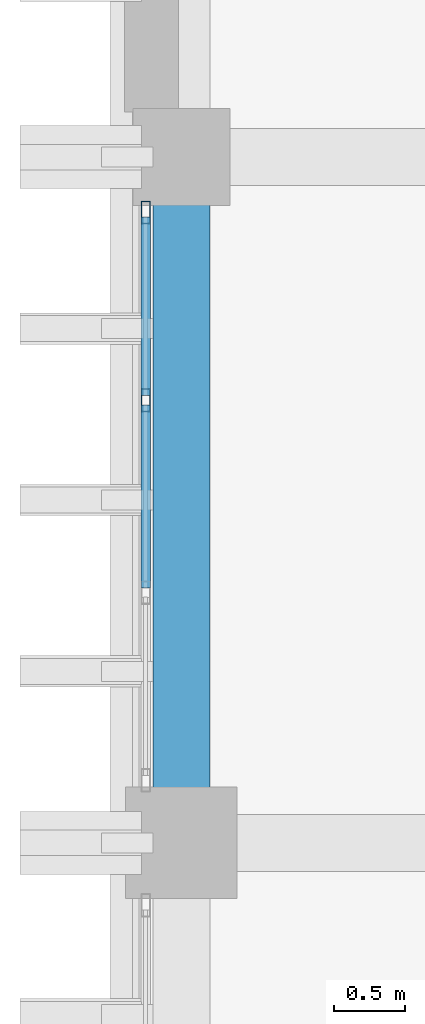
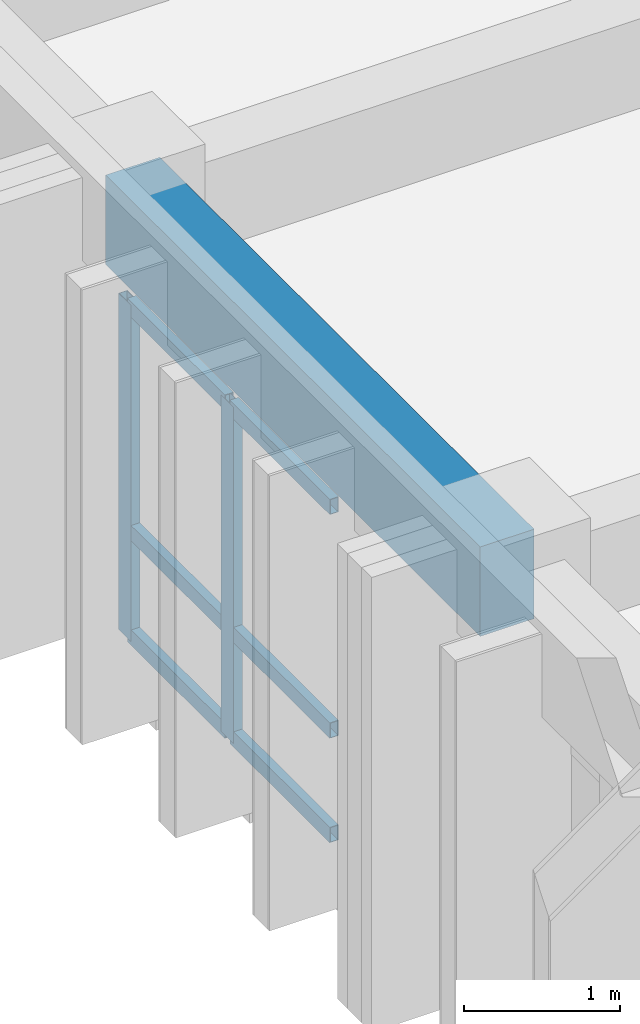
# One storey, part 45 of 68: 8 members, 1 beam, 1 element without a shape of its own.
"""IFC4 building model written with IfcOpenShell, lengths in metres."""

import ifcopenshell
import ifcopenshell.guid

model = None  # the IFC model being written
_history = None  # IfcOwnerHistory: only IFC2X3 demands one
_inside = {}  # id of a spatial element -> (the spatial element, [elements in it])
_under = {}  # id of a project, library or spatial element -> (it, [spatial elements below it])
_declared = {}  # id of a project -> (the project, [libraries it declares])
_typed = {}  # id of a type object -> (the type object, [elements of that type])
_made_of = {}  # id of a material, layer set ... -> (it, [elements and type objects made of it])


def new_model(schema):
    """Start an empty IFC model of exactly this schema.

    Asked for "IFC4X3", IfcOpenShell would pick the latest addendum, in which some entities
    have other attributes; the version numbers below select the first issue.
    IFC2X3 requires an IfcOwnerHistory on every rooted entity: one is made here for all.
    """
    global model, _history
    if schema == "IFC4X3":
        model = ifcopenshell.file(schema_version=(4, 3, 0, 0))
    else:
        model = ifcopenshell.file(schema=schema)
    _inside.clear()
    _under.clear()
    _declared.clear()
    _typed.clear()
    _made_of.clear()
    _history = None
    if model.schema == "IFC2X3":
        org = make("IfcOrganization", Name="unknown")
        user = make(
            "IfcPersonAndOrganization",
            ThePerson=make("IfcPerson", FamilyName="unknown"),
            TheOrganization=org,
        )
        app = make(
            "IfcApplication",
            ApplicationDeveloper=org,
            Version="unknown",
            ApplicationFullName="unknown",
            ApplicationIdentifier="unknown",
        )
        _history = make(
            "IfcOwnerHistory",
            OwningUser=user,
            OwningApplication=app,
            ChangeAction="ADDED",
            CreationDate=0,
        )
    return model


def make(cls, **values):
    """One entity of the class cls with the attributes given. An attribute that is None is left unset."""
    return model.create_entity(
        cls, **{name: value for name, value in values.items() if value is not None}
    )


def rooted(cls, **values):
    """An entity with a GlobalId (a new one), such as an element, a storey or a relation."""
    return make(cls, GlobalId=ifcopenshell.guid.new(), OwnerHistory=_history, **values)


def si_unit(unit_type, name, prefix=None):
    """IfcSIUnit, for example si_unit("LENGTHUNIT", "METRE", prefix="MILLI")."""
    return make("IfcSIUnit", UnitType=unit_type, Prefix=prefix, Name=name)


def assignment(units):
    """IfcUnitAssignment: the units of a project."""
    return None if units is None else make("IfcUnitAssignment", Units=units)


def point(xyz):
    """IfcCartesianPoint."""
    return None if xyz is None else make("IfcCartesianPoint", Coordinates=xyz)


def direction(xyz):
    """IfcDirection."""
    return None if xyz is None else make("IfcDirection", DirectionRatios=xyz)


def frame(location, z_axis=None, x_axis=None):
    """IfcAxis2Placement3D, a coordinate frame: its origin and axes. An axis left out is left unset."""
    return make(
        "IfcAxis2Placement3D",
        Location=point(location),
        Axis=direction(z_axis),
        RefDirection=direction(x_axis),
    )


def frame_2d(location, x_axis=None):
    """IfcAxis2Placement2D, a coordinate frame in the plane: its origin and x axis."""
    return make(
        "IfcAxis2Placement2D", Location=point(location), RefDirection=direction(x_axis)
    )


def origin():
    """The frame at (0, 0, 0) with its axes left unset."""
    return frame((0.0, 0.0, 0.0))


def origin_2d():
    """The frame at (0, 0) in the plane with its x axis left unset."""
    return frame_2d((0.0, 0.0))


def place(relative_to, where):
    """IfcLocalPlacement: puts the frame where relative to a parent placement (None: the world)."""
    return make(
        "IfcLocalPlacement", PlacementRelTo=relative_to, RelativePlacement=where
    )


def context(
    kind, dimensions, precision=None, world=None, true_north=None, identifier=None
):
    """IfcGeometricRepresentationContext, for example the 3D "Model" context."""
    return make(
        "IfcGeometricRepresentationContext",
        ContextIdentifier=identifier,
        ContextType=kind,
        CoordinateSpaceDimension=dimensions,
        Precision=precision,
        WorldCoordinateSystem=world,
        TrueNorth=true_north,
    )


def subcontext(parent, identifier, kind, view, scale=None):
    """IfcGeometricRepresentationSubContext, for example "Body" below "Model"."""
    return make(
        "IfcGeometricRepresentationSubContext",
        ContextIdentifier=identifier,
        ContextType=kind,
        ParentContext=parent,
        TargetScale=scale,
        TargetView=view,
    )


def project(units=None, contexts=None):
    """IfcProject with its units and contexts."""
    return rooted(
        "IfcProject",
        Name="project",
        RepresentationContexts=contexts,
        UnitsInContext=assignment(units),
    )


def spatial(cls, under=None, at=None, **own):
    """A site, building, storey or space (cls), placed at a placement, below another one or the project."""
    s = rooted(cls, ObjectPlacement=at, **own)
    if under is not None:
        _under.setdefault(under.id(), (under, []))[1].append(s)
    return s


def profile(cls, at=None, kind="AREA", **sizes):
    """A parametric profile (cls). Its sizes go by their IFC names, for example OverallWidth=200.0."""
    return make(cls, ProfileType=kind, Position=at, **sizes)


def rectangle(**sizes):
    """IfcRectangleProfileDef."""
    return profile("IfcRectangleProfileDef", **sizes)


def hollow_rectangle(**sizes):
    """IfcRectangleHollowProfileDef."""
    return profile("IfcRectangleHollowProfileDef", **sizes)


def extrude(swept, where, along, depth):
    """IfcExtrudedAreaSolid: the profile swept, set in the frame where, extruded along a direction by depth."""
    return make(
        "IfcExtrudedAreaSolid",
        SweptArea=swept,
        Position=where,
        ExtrudedDirection=direction(along),
        Depth=depth,
    )


def shape(context_of_items, identifier, shape_type, items):
    """IfcShapeRepresentation: the items that make up one representation, for example the "Body"."""
    return make(
        "IfcShapeRepresentation",
        ContextOfItems=context_of_items,
        RepresentationIdentifier=identifier,
        RepresentationType=shape_type,
        Items=items,
    )


def material(Name=None, Category=None):
    """IfcMaterial."""
    return make("IfcMaterial", Name=Name, Category=Category)


def layer(
    of_material, thickness, ventilated=None, Name=None, Category=None, Priority=None
):
    """IfcMaterialLayer: one layer of a wall or slab, of a material (None: an air gap)."""
    return make(
        "IfcMaterialLayer",
        Material=of_material,
        LayerThickness=thickness,
        IsVentilated=ventilated,
        Name=Name,
        Category=Category,
        Priority=Priority,
    )


def layer_set(layers, Name=None):
    """IfcMaterialLayerSet."""
    return make("IfcMaterialLayerSet", MaterialLayers=layers, LayerSetName=Name)


def material_profile(
    of_material, cross_section, Name=None, Category=None, Priority=None
):
    """IfcMaterialProfile: a cross section and its material."""
    return make(
        "IfcMaterialProfile",
        Name=Name,
        Material=of_material,
        Profile=cross_section,
        Priority=Priority,
        Category=Category,
    )


def profile_set(profiles, Name=None, composite=None):
    """IfcMaterialProfileSet."""
    return make(
        "IfcMaterialProfileSet",
        Name=Name,
        MaterialProfiles=profiles,
        CompositeProfile=composite,
    )


def made_of(thing, what):
    """Note that an element or type object is made of a material, layer set ...; save() writes the relation."""
    if what is not None:
        _made_of.setdefault(what.id(), (what, []))[1].append(thing)
    return thing


def type_object(cls, material=None, **own):
    """A type object (cls), such as IfcWallType, which elements share."""
    return made_of(rooted(cls, **own), material)


def element(
    cls,
    number,
    at=None,
    inside=None,
    cuts=None,
    type_object=None,
    material=None,
    context=None,
    identifier="Body",
    shape_type=None,
    held_by="IfcProductDefinitionShape",
    body=None,
    shapes=None,
    **own,
):
    """One element of the class cls, such as IfcWall. Its Tag is "e" and its number.

    at: its placement. inside: the storey or other place that contains it. cuts: it is an
    opening in that element (IfcRelVoidsElement). A single representation is given by context,
    identifier, shape_type and body (its items); several are given by shapes. held_by: the class
    of the entity that holds the representations. save() writes the other relations.
    """
    e = rooted(cls, Tag="e%d" % number, ObjectPlacement=at, **own)
    if body is not None:
        shapes = [shape(context, identifier, shape_type, body)]
    if shapes is not None:
        e.Representation = make(held_by, Representations=shapes)
    if inside is not None:
        _inside.setdefault(inside.id(), (inside, []))[1].append(e)
    if cuts is not None:
        rooted(
            "IfcRelVoidsElement", RelatingBuildingElement=cuts, RelatedOpeningElement=e
        )
    if type_object is not None:
        _typed.setdefault(type_object.id(), (type_object, []))[1].append(e)
    return made_of(e, material)


def aggregate(whole, parts):
    """IfcRelAggregates: a whole, such as a stair, and the parts it consists of."""
    return rooted("IfcRelAggregates", RelatingObject=whole, RelatedObjects=parts)


def save(model, path):
    """Write the relations noted so far, then the file.

    IfcRelAggregates (storeys below a building ...), IfcRelContainedInSpatialStructure (elements
    in a storey), IfcRelDefinesByType, IfcRelAssociatesMaterial and IfcRelDeclares: one each for
    every whole, place, type object, material and project.
    """
    for whole, parts in _under.values():
        aggregate(whole, parts)
    for where, things in _inside.values():
        rooted(
            "IfcRelContainedInSpatialStructure",
            RelatedElements=things,
            RelatingStructure=where,
        )
    for kind, things in _typed.values():
        rooted("IfcRelDefinesByType", RelatedObjects=things, RelatingType=kind)
    for what, things in _made_of.values():
        rooted("IfcRelAssociatesMaterial", RelatedObjects=things, RelatingMaterial=what)
    for by, libraries in _declared.values():
        rooted("IfcRelDeclares", RelatingContext=by, RelatedDefinitions=libraries)
    model.write(path)


model = new_model("IFC4")

# Units and contexts
model_context = context("Model", 3, precision=1e-05, world=origin(), true_north=direction((0.0, 1.0)))
body_context = subcontext(model_context, "Body", "Model", "MODEL_VIEW")
ifc_project = project(units=[si_unit("LENGTHUNIT", "METRE"), si_unit("AREAUNIT", "SQUARE_METRE"), si_unit("VOLUMEUNIT", "CUBIC_METRE"), si_unit("PLANEANGLEUNIT", "RADIAN"), si_unit("MASSUNIT", "GRAM", prefix="KILO")], contexts=[model_context])

# Site, building, storey
site_placement = place(None, origin())
site = spatial("IfcSite", under=ifc_project, at=site_placement, CompositionType="ELEMENT")
building_placement = place(site_placement, origin())
building = spatial("IfcBuilding", under=site, at=building_placement, Name="Nakhvara Creek Congress Hotel", CompositionType="ELEMENT")
storey_placement = place(building_placement, frame((0.0, 0.0, 24.60009765625)))
storey = spatial("IfcBuildingStorey", under=building, at=storey_placement, Name="L05", CompositionType="ELEMENT", Elevation=24.60009765625)

# Beam
ifc_material_1 = material(Name="Concrete C40/50", Category="concrete")
ifc_material_profile_1 = material_profile(ifc_material_1, rectangle(XDim=0.39990234375, YDim=0.699951171875, at=origin_2d()), Name="RC-BM 400x700", Category="LoadBearing")
ifc_profile_set_1 = profile_set([ifc_material_profile_1], Name="Concrete C40/50")
beam_type = type_object("IfcBeamType", Name="BM-RC-400X700", PredefinedType="BEAM", material=ifc_profile_set_1)
beam_placement = place(storey_placement, frame((149.449951171875, 115.199951171875, 2.989990234375), z_axis=(0.0, 1.0, 0.0), x_axis=(-1.0, 0.0, 0.0)))
element("IfcBeam", 1, at=beam_placement, inside=storey, type_object=beam_type, Name="Beam B05-L05-2084", PredefinedType="BEAM", context=body_context, shape_type="SweptSolid", body=[
    extrude(rectangle(XDim=0.39990234375, YDim=0.699951171875, at=origin_2d()), origin(), (0.0, 0.0, 1.0), 4.800048828125),
])

# Curtain wall, members
ifc_material_2 = material(Name="Bronze-anodised aluminium AW-6063-T6 and double-silver low-E glass", Category="aluminium")
ifc_layer = layer(ifc_material_2, 0.199951171875)
ifc_layer_set = layer_set([ifc_layer], Name="Bronze-anodised aluminium AW-6063-T6 and double-silver low-E glass")
curtain_wall_type = type_object("IfcCurtainWallType", Name="CW-HTL-UNIT", PredefinedType="USERDEFINED", material=ifc_layer_set)
curtain_wall_placement = place(storey_placement, origin())
curtain_wall = element("IfcCurtainWall", 2, at=curtain_wall_placement, inside=storey, type_object=curtain_wall_type, Name="Curtain Wall CW227", ObjectType="UNITISED", PredefinedType="USERDEFINED")
ifc_material_3 = material(Name="Bronze-anodised aluminium AW-6063-T6", Category="aluminium")
ifc_material_profile_2 = material_profile(ifc_material_3, hollow_rectangle(XDim=0.06494140625, YDim=0.159912109375, WallThickness=0.00390625, at=origin_2d()), Name="ALU-MULL 65x160x4", Category="LoadBearing")
ifc_profile_set_2 = profile_set([ifc_material_profile_2], Name="Bronze-anodised aluminium AW-6063-T6")
member_type_1 = type_object("IfcMemberType", Name="CW-MULL-160", PredefinedType="MULLION", material=ifc_profile_set_2)
member_1_placement = place(storey_placement, frame((149.199951171875, 118.29833984375, 0.0), z_axis=(0.0, 0.0, 1.0), x_axis=(-1.0, 0.0, 0.0)))
member_1 = element("IfcMember", 3, at=member_1_placement, type_object=member_type_1, Name="CW227 mullion 3", PredefinedType="MULLION", context=body_context, shape_type="SweptSolid", body=[
    extrude(hollow_rectangle(XDim=0.06494140625, YDim=0.159912109375, WallThickness=0.00390625, at=origin_2d()), origin(), (0.0, 0.0, 1.0), 2.6318359375),
])
member_2_placement = place(storey_placement, frame((149.199951171875, 119.612548828125, 0.0), z_axis=(0.0, 0.0, 1.0), x_axis=(-1.0, 0.0, 0.0)))
member_2 = element("IfcMember", 4, at=member_2_placement, type_object=member_type_1, Name="CW227 mullion 4", PredefinedType="MULLION", context=body_context, shape_type="SweptSolid", body=[
    extrude(hollow_rectangle(XDim=0.06494140625, YDim=0.159912109375, WallThickness=0.00390625, at=origin_2d()), origin(), (0.0, 0.0, 1.0), 2.6318359375),
])
ifc_material_profile_3 = material_profile(ifc_material_3, hollow_rectangle(XDim=0.06494140625, YDim=0.1201171875, WallThickness=0.00390625, at=origin_2d()), Name="ALU-TRAN 65x120x4", Category="LoadBearing")
ifc_profile_set_3 = profile_set([ifc_material_profile_3], Name="Bronze-anodised aluminium AW-6063-T6")
member_type_2 = type_object("IfcMemberType", Name="CW-TRAN-120", PredefinedType="USERDEFINED", material=ifc_profile_set_3)
member_3_placement = place(storey_placement, frame((149.199951171875, 116.984130859375, 0.032470703125), z_axis=(0.0, 1.0, 0.0), x_axis=(-1.0, 0.0, 0.0)))
member_3 = element("IfcMember", 5, at=member_3_placement, type_object=member_type_2, Name="CW227 transom 2.1", ObjectType="TRANSOM", PredefinedType="USERDEFINED", context=body_context, shape_type="SweptSolid", body=[
    extrude(hollow_rectangle(XDim=0.06494140625, YDim=0.1201171875, WallThickness=0.00390625, at=origin_2d()), origin(), (0.0, 0.0, 1.0), 1.28173828125),
])
member_4_placement = place(storey_placement, frame((149.199951171875, 116.984130859375, 0.849853515625), z_axis=(0.0, 1.0, 0.0), x_axis=(-1.0, 0.0, 0.0)))
member_4 = element("IfcMember", 6, at=member_4_placement, type_object=member_type_2, Name="CW227 transom 2.2", ObjectType="TRANSOM", PredefinedType="USERDEFINED", context=body_context, shape_type="SweptSolid", body=[
    extrude(hollow_rectangle(XDim=0.06494140625, YDim=0.1201171875, WallThickness=0.00390625, at=origin_2d()), origin(), (0.0, 0.0, 1.0), 1.28173828125),
])
member_5_placement = place(storey_placement, frame((149.199951171875, 116.984130859375, 2.599365234375), z_axis=(0.0, 1.0, 0.0), x_axis=(-1.0, 0.0, 0.0)))
member_5 = element("IfcMember", 7, at=member_5_placement, type_object=member_type_2, Name="CW227 transom 2.3", ObjectType="TRANSOM", PredefinedType="USERDEFINED", context=body_context, shape_type="SweptSolid", body=[
    extrude(hollow_rectangle(XDim=0.06494140625, YDim=0.1201171875, WallThickness=0.00390625, at=origin_2d()), origin(), (0.0, 0.0, 1.0), 1.28173828125),
])
member_6_placement = place(storey_placement, frame((149.199951171875, 118.330810546875, 0.032470703125), z_axis=(0.0, 1.0, 0.0), x_axis=(-1.0, 0.0, 0.0)))
member_6 = element("IfcMember", 8, at=member_6_placement, type_object=member_type_2, Name="CW227 transom 3.1", ObjectType="TRANSOM", PredefinedType="USERDEFINED", context=body_context, shape_type="SweptSolid", body=[
    extrude(hollow_rectangle(XDim=0.06494140625, YDim=0.1201171875, WallThickness=0.00390625, at=origin_2d()), origin(), (0.0, 0.0, 1.0), 1.249267578125),
])
member_7_placement = place(storey_placement, frame((149.199951171875, 118.330810546875, 0.849853515625), z_axis=(0.0, 1.0, 0.0), x_axis=(-1.0, 0.0, 0.0)))
member_7 = element("IfcMember", 9, at=member_7_placement, type_object=member_type_2, Name="CW227 transom 3.2", ObjectType="TRANSOM", PredefinedType="USERDEFINED", context=body_context, shape_type="SweptSolid", body=[
    extrude(hollow_rectangle(XDim=0.06494140625, YDim=0.1201171875, WallThickness=0.00390625, at=origin_2d()), origin(), (0.0, 0.0, 1.0), 1.249267578125),
])
member_8_placement = place(storey_placement, frame((149.199951171875, 118.330810546875, 2.599365234375), z_axis=(0.0, 1.0, 0.0), x_axis=(-1.0, 0.0, 0.0)))
member_8 = element("IfcMember", 10, at=member_8_placement, type_object=member_type_2, Name="CW227 transom 3.3", ObjectType="TRANSOM", PredefinedType="USERDEFINED", context=body_context, shape_type="SweptSolid", body=[
    extrude(hollow_rectangle(XDim=0.06494140625, YDim=0.1201171875, WallThickness=0.00390625, at=origin_2d()), origin(), (0.0, 0.0, 1.0), 1.249267578125),
])
aggregate(curtain_wall, [member_1, member_2, member_3, member_4, member_5, member_6, member_7, member_8])

save(model, "model.ifc")
